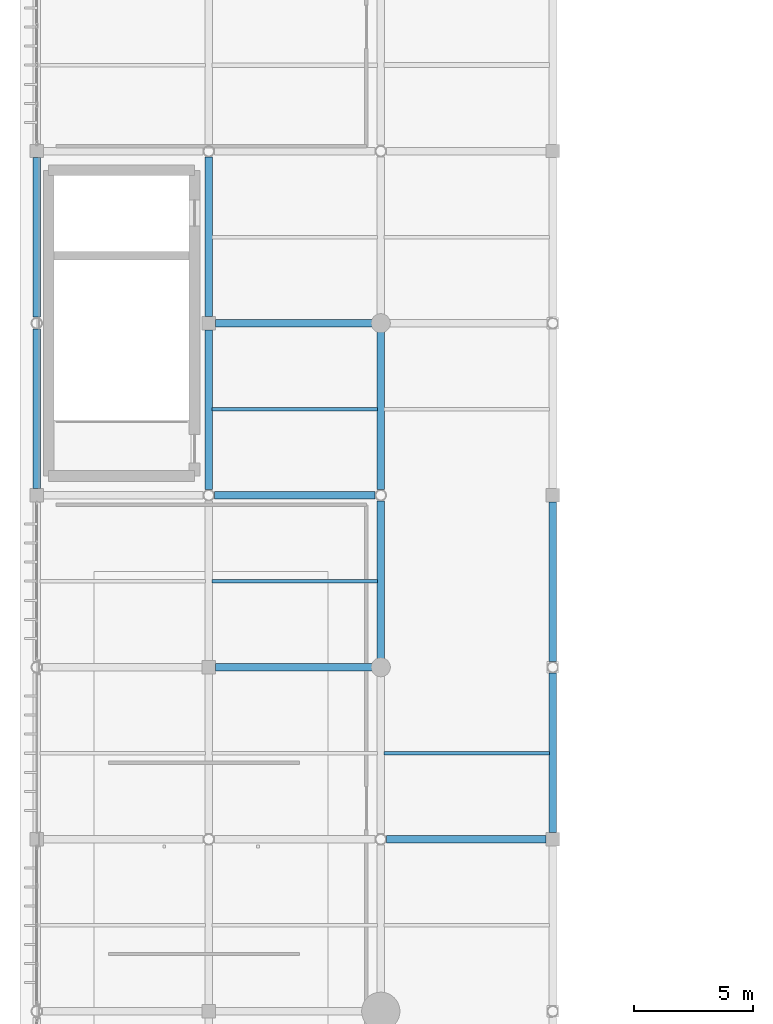
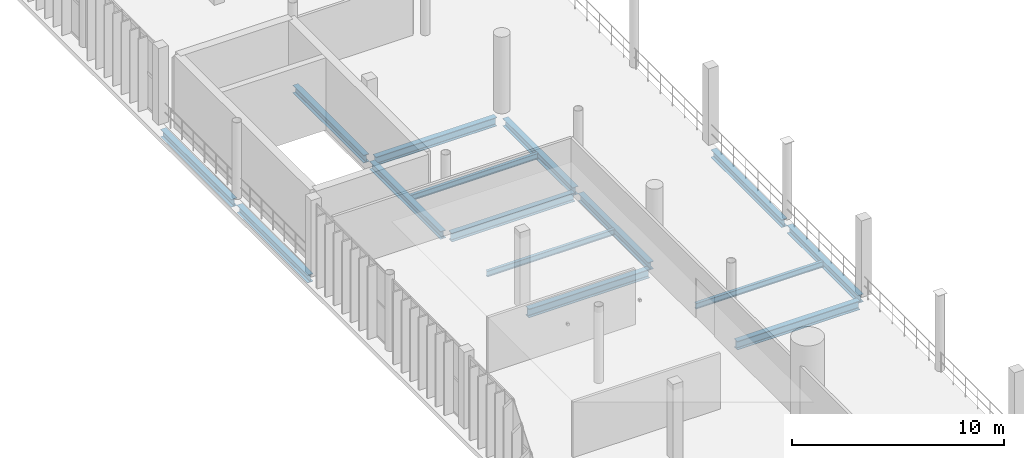
# One storey, part 35 of 81: 15 beams.
"""IFC4 building model written with IfcOpenShell, lengths in metres."""

from ifc_helpers import new_model, si_unit, direction, frame, origin, origin_2d, place, context, subcontext, project, spatial, i_section, extrude, material, material_profile, profile_set, type_object, element, save


model = new_model("IFC4")

# Units and contexts
model_context = context("Model", 3, precision=1e-05, world=origin(), true_north=direction((0.0, 1.0)))
body_context = subcontext(model_context, "Body", "Model", "MODEL_VIEW")
ifc_project = project(units=[si_unit("LENGTHUNIT", "METRE"), si_unit("AREAUNIT", "SQUARE_METRE"), si_unit("VOLUMEUNIT", "CUBIC_METRE"), si_unit("PLANEANGLEUNIT", "RADIAN"), si_unit("MASSUNIT", "GRAM", prefix="KILO")], contexts=[model_context])

# Site, building, storey
site_placement = place(None, origin())
site = spatial("IfcSite", under=ifc_project, at=site_placement, CompositionType="ELEMENT")
building_placement = place(site_placement, origin())
building = spatial("IfcBuilding", under=site, at=building_placement, Name="Qandorah Velis Arena", CompositionType="ELEMENT")
storey_placement = place(building_placement, frame((0.0, 0.0, 18.60009765625)))
storey = spatial("IfcBuildingStorey", under=building, at=storey_placement, Name="L04", CompositionType="ELEMENT", Elevation=18.60009765625)

# Beams
ifc_material = material(Name="Steel S355", Category="steel")
ifc_material_profile_1 = material_profile(ifc_material, i_section(OverallWidth=0.300048828125, OverallDepth=0.449951171875, WebThickness=0.013916015625, FlangeThickness=0.02587890625, FilletRadius=0.027099609375, at=origin_2d()), Name="HEB 450")
ifc_profile_set_1 = profile_set([ifc_material_profile_1], Name="Steel S355")
beam_type_1 = type_object("IfcBeamType", Name="STR-BM-HEB450", PredefinedType="BEAM", material=ifc_profile_set_1)
beam_1_placement = place(storey_placement, frame((0.0, 79.47509765625, -0.4951171875), z_axis=(0.0, 1.0, 0.0), x_axis=(-1.0, 0.0, 0.0)))
element("IfcBeam", 1, at=beam_1_placement, inside=storey, type_object=beam_type_1, Name="Primary floor girder L04 Y-154", PredefinedType="BEAM", context=body_context, shape_type="SweptSolid", body=[
    extrude(i_section(OverallWidth=0.300048828125, OverallDepth=0.449951171875, WebThickness=0.013916015625, FlangeThickness=0.02587890625, FilletRadius=0.027099609375, at=origin_2d()), origin(), (0.0, 0.0, 1.0), 6.6748046875),
])
for number, where, z_axis, x_axis, name in (
    (2, (0.0, 86.64990234375, -0.4951171875), (0.0, 1.0, 0.0), (-1.0, 0.0, 0.0), "Primary floor girder L04 Y-155"),
    (3, (7.199951171875, 79.449951171875, -0.4951171875), (0.0, 1.0, 0.0), (-1.0, 0.0, 0.0), "Primary floor girder L04 Y-166"),
    (4, (7.199951171875, 86.675048828125, -0.4951171875), (0.0, 1.0, 0.0), (-1.0, 0.0, 0.0), "Primary floor girder L04 Y-167"),
):
    element("IfcBeam", number, at=place(storey_placement, frame(where, z_axis=z_axis, x_axis=x_axis)), inside=storey, type_object=beam_type_1, Name=name, PredefinedType="BEAM", context=body_context, shape_type="SweptSolid", body=[
        extrude(i_section(OverallWidth=0.300048828125, OverallDepth=0.449951171875, WebThickness=0.013916015625, FlangeThickness=0.02587890625, FilletRadius=0.027099609375, at=origin_2d()), origin(), (0.0, 0.0, 1.0), 6.675048828125),
    ])
beam_2_placement = place(storey_placement, frame((14.39990234375, 72.35009765625, -0.4951171875), z_axis=(0.0, 1.0, 0.0), x_axis=(-1.0, 0.0, 0.0)))
element("IfcBeam", 5, at=beam_2_placement, inside=storey, type_object=beam_type_1, Name="Primary floor girder L04 Y-177", PredefinedType="BEAM", context=body_context, shape_type="SweptSolid", body=[
    extrude(i_section(OverallWidth=0.300048828125, OverallDepth=0.449951171875, WebThickness=0.013916015625, FlangeThickness=0.02587890625, FilletRadius=0.027099609375, at=origin_2d()), origin(), (0.0, 0.0, 1.0), 6.599853515625),
])
beam_3_placement = place(storey_placement, frame((14.39990234375, 79.449951171875, -0.4951171875), z_axis=(0.0, 1.0, 0.0), x_axis=(-1.0, 0.0, 0.0)))
element("IfcBeam", 6, at=beam_3_placement, inside=storey, type_object=beam_type_1, Name="Primary floor girder L04 Y-178", PredefinedType="BEAM", context=body_context, shape_type="SweptSolid", body=[
    extrude(i_section(OverallWidth=0.300048828125, OverallDepth=0.449951171875, WebThickness=0.013916015625, FlangeThickness=0.02587890625, FilletRadius=0.027099609375, at=origin_2d()), origin(), (0.0, 0.0, 1.0), 6.60009765625),
])
for number, where, z_axis, x_axis, name in (
    (7, (21.60009765625, 65.074951171875, -0.4951171875), (0.0, 1.0, 0.0), (-1.0, 0.0, 0.0), "Primary floor girder L04 Y-189"),
    (8, (21.60009765625, 72.25, -0.4951171875), (0.0, 1.0, 0.0), (-1.0, 0.0, 0.0), "Primary floor girder L04 Y-190"),
):
    element("IfcBeam", number, at=place(storey_placement, frame(where, z_axis=z_axis, x_axis=x_axis)), inside=storey, type_object=beam_type_1, Name=name, PredefinedType="BEAM", context=body_context, shape_type="SweptSolid", body=[
        extrude(i_section(OverallWidth=0.300048828125, OverallDepth=0.449951171875, WebThickness=0.013916015625, FlangeThickness=0.02587890625, FilletRadius=0.027099609375, at=origin_2d()), origin(), (0.0, 0.0, 1.0), 6.675048828125),
    ])
ifc_material_profile_2 = material_profile(ifc_material, i_section(OverallWidth=0.300048828125, OverallDepth=0.5, WebThickness=0.014404296875, FlangeThickness=0.028076171875, FilletRadius=0.027099609375, at=origin_2d()), Name="HEB 500")
ifc_profile_set_2 = profile_set([ifc_material_profile_2], Name="Steel S355")
beam_type_2 = type_object("IfcBeamType", Name="STR-BM-HEB500", PredefinedType="BEAM", material=ifc_profile_set_2)
beam_4_placement = place(storey_placement, frame((14.64990234375, 64.800048828125, -0.52001953125), z_axis=(1.0, 0.0, 0.0), x_axis=(0.0, 1.0, 0.0)))
element("IfcBeam", 9, at=beam_4_placement, inside=storey, type_object=beam_type_2, Name="Primary floor girder L04 X-075", PredefinedType="BEAM", context=body_context, shape_type="SweptSolid", body=[
    extrude(i_section(OverallWidth=0.300048828125, OverallDepth=0.5, WebThickness=0.014404296875, FlangeThickness=0.028076171875, FilletRadius=0.027099609375, at=origin_2d()), origin(), (0.0, 0.0, 1.0), 6.675048828125),
])
beam_5_placement = place(storey_placement, frame((7.47509765625, 72.0, -0.52001953125), z_axis=(1.0, 0.0, 0.0), x_axis=(0.0, 1.0, 0.0)))
element("IfcBeam", 10, at=beam_5_placement, inside=storey, type_object=beam_type_2, Name="Primary floor girder L04 X-079", PredefinedType="BEAM", context=body_context, shape_type="SweptSolid", body=[
    extrude(i_section(OverallWidth=0.300048828125, OverallDepth=0.5, WebThickness=0.014404296875, FlangeThickness=0.028076171875, FilletRadius=0.027099609375, at=origin_2d()), origin(), (0.0, 0.0, 1.0), 6.574951171875),
])
beam_6_placement = place(storey_placement, frame((7.449951171875, 79.199951171875, -0.52001953125), z_axis=(1.0, 0.0, 0.0), x_axis=(0.0, 1.0, 0.0)))
element("IfcBeam", 11, at=beam_6_placement, inside=storey, type_object=beam_type_2, Name="Primary floor girder L04 X-083", PredefinedType="BEAM", context=body_context, shape_type="SweptSolid", body=[
    extrude(i_section(OverallWidth=0.300048828125, OverallDepth=0.5, WebThickness=0.014404296875, FlangeThickness=0.028076171875, FilletRadius=0.027099609375, at=origin_2d()), origin(), (0.0, 0.0, 1.0), 6.699951171875),
])
beam_7_placement = place(storey_placement, frame((7.47509765625, 86.39990234375, -0.52001953125), z_axis=(1.0, 0.0, 0.0), x_axis=(0.0, 1.0, 0.0)))
element("IfcBeam", 12, at=beam_7_placement, inside=storey, type_object=beam_type_2, Name="Primary floor girder L04 X-086", PredefinedType="BEAM", context=body_context, shape_type="SweptSolid", body=[
    extrude(i_section(OverallWidth=0.300048828125, OverallDepth=0.5, WebThickness=0.014404296875, FlangeThickness=0.028076171875, FilletRadius=0.027099609375, at=origin_2d()), origin(), (0.0, 0.0, 1.0), 6.574951171875),
])
ifc_material_profile_3 = material_profile(ifc_material, i_section(OverallWidth=0.159912109375, OverallDepth=0.330078125, WebThickness=0.007568359375, FlangeThickness=0.011474609375, FilletRadius=0.01806640625, at=origin_2d()), Name="IPE 330")
ifc_profile_set_3 = profile_set([ifc_material_profile_3], Name="Steel S355")
beam_type_3 = type_object("IfcBeamType", Name="STR-JST-IPE330", PredefinedType="JOIST", material=ifc_profile_set_3)
for number, where, z_axis, x_axis, name in (
    (13, (7.3349609375, 75.60009765625, -0.43505859375), (1.0, 0.0, 0.0), (0.0, 1.0, 0.0), "Secondary floor joist L04-016"),
    (14, (7.3349609375, 82.800048828125, -0.43505859375), (1.0, 0.0, 0.0), (0.0, 1.0, 0.0), "Secondary floor joist L04-017"),
):
    element("IfcBeam", number, at=place(storey_placement, frame(where, z_axis=z_axis, x_axis=x_axis)), inside=storey, type_object=beam_type_3, Name=name, PredefinedType="JOIST", context=body_context, shape_type="SweptSolid", body=[
        extrude(i_section(OverallWidth=0.159912109375, OverallDepth=0.330078125, WebThickness=0.007568359375, FlangeThickness=0.011474609375, FilletRadius=0.01806640625, at=origin_2d()), origin(), (0.0, 0.0, 1.0), 6.929931640625),
    ])
beam_8_placement = place(storey_placement, frame((14.534912109375, 68.39990234375, -0.43505859375), z_axis=(1.0, 0.0, 0.0), x_axis=(0.0, 1.0, 0.0)))
element("IfcBeam", 15, at=beam_8_placement, inside=storey, type_object=beam_type_3, Name="Secondary floor joist L04-026", PredefinedType="JOIST", context=body_context, shape_type="SweptSolid", body=[
    extrude(i_section(OverallWidth=0.159912109375, OverallDepth=0.330078125, WebThickness=0.007568359375, FlangeThickness=0.011474609375, FilletRadius=0.01806640625, at=origin_2d()), origin(), (0.0, 0.0, 1.0), 6.93017578125),
])

save(model, "model.ifc")
